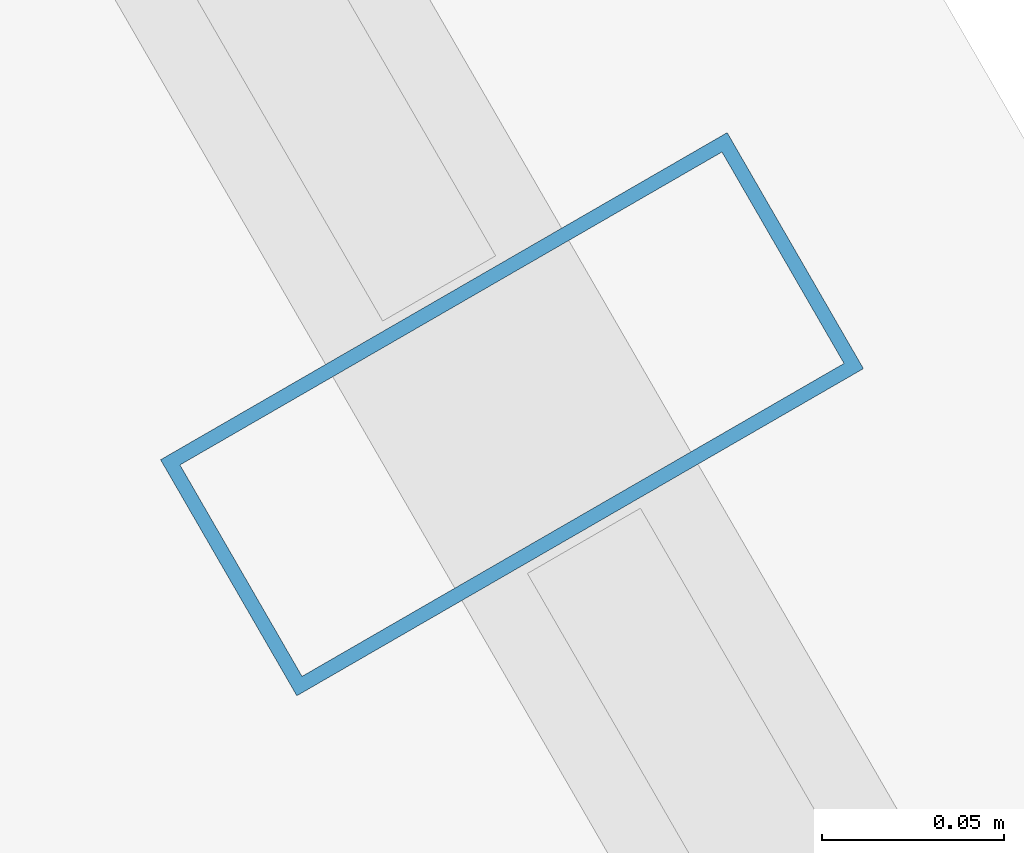
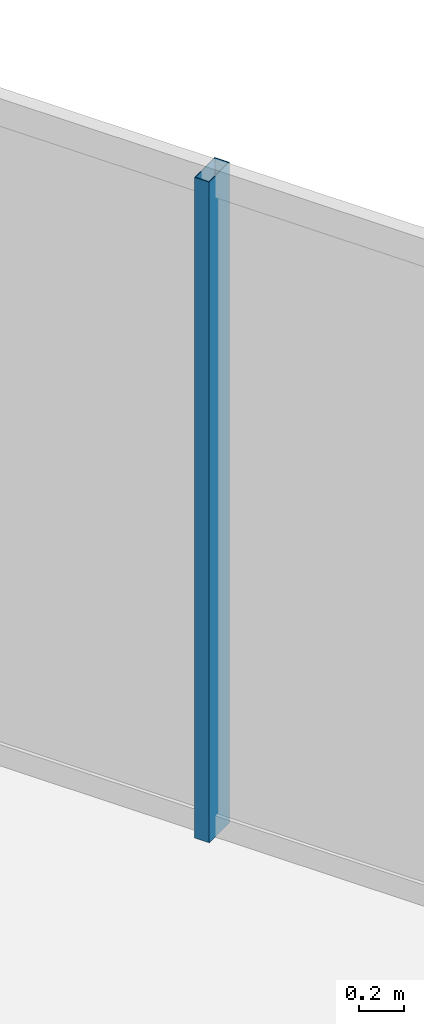
# One storey, part 19 of 32: 1 member, 1 element without a shape of its own.
"""IFC4 building model written with IfcOpenShell, lengths in metres."""

from ifc_helpers import new_model, si_unit, direction, frame, origin, origin_2d, place, context, subcontext, project, spatial, hollow_rectangle, extrude, material, layer, layer_set, material_profile, profile_set, type_object, element, aggregate, save


model = new_model("IFC4")

# Units and contexts
model_context = context("Model", 3, precision=1e-05, world=origin(), true_north=direction((0.0, 1.0)))
body_context = subcontext(model_context, "Body", "Model", "MODEL_VIEW")
ifc_project = project(units=[si_unit("LENGTHUNIT", "METRE"), si_unit("AREAUNIT", "SQUARE_METRE"), si_unit("VOLUMEUNIT", "CUBIC_METRE"), si_unit("PLANEANGLEUNIT", "RADIAN"), si_unit("MASSUNIT", "GRAM", prefix="KILO")], contexts=[model_context])

# Site, building, storey
site_placement = place(None, origin())
site = spatial("IfcSite", under=ifc_project, at=site_placement, CompositionType="ELEMENT")
building_placement = place(site_placement, origin())
building = spatial("IfcBuilding", under=site, at=building_placement, Name="Ndaravel Arena Tower", CompositionType="ELEMENT")
storey_placement = place(building_placement, frame((0.0, 0.0, 134.60009765625)))
storey = spatial("IfcBuildingStorey", under=building, at=storey_placement, Name="L31", CompositionType="ELEMENT", Elevation=134.60009765625)

# Curtain wall, member
ifc_material_1 = material(Name="Aluminium", Category="aluminium")
ifc_layer = layer(ifc_material_1, 0.179931640625)
ifc_layer_set = layer_set([ifc_layer], Name="Aluminium")
curtain_wall_type = type_object("IfcCurtainWallType", Name="CW-SYS-03", PredefinedType="NOTDEFINED", material=ifc_layer_set)
curtain_wall_placement = place(storey_placement, origin())
curtain_wall = element("IfcCurtainWall", 1, at=curtain_wall_placement, inside=storey, type_object=curtain_wall_type, Name="L31 Faceted Crystal Curtain Wall CW-L31-E03", PredefinedType="NOTDEFINED")
ifc_material_2 = material(Name="Aluminium", Category="aluminium")
ifc_material_profile = material_profile(ifc_material_2, hollow_rectangle(XDim=0.074951171875, YDim=0.179931640625, WallThickness=0.00390625, at=origin_2d()), Name="CW MULLION 75x180x4")
ifc_profile_set = profile_set([ifc_material_profile], Name="Aluminium")
member_type = type_object("IfcMemberType", Name="MEM-CW-MUL180", PredefinedType="MULLION", material=ifc_profile_set)
member_placement = place(storey_placement, frame((54.70849609375, 34.7255859375, 0.0), z_axis=(0.0, 0.0, 1.0), x_axis=(-0.5, 0.866025403784, 0.0)))
member = element("IfcMember", 2, at=member_placement, type_object=member_type, Name="CW-L31-E03 Mullion 05", PredefinedType="MULLION", context=body_context, shape_type="SweptSolid", body=[
    extrude(hollow_rectangle(XDim=0.074951171875, YDim=0.179931640625, WallThickness=0.00390625, at=origin_2d()), origin(), (0.0, 0.0, 1.0), 3.579833984375),
])
aggregate(curtain_wall, [member])

save(model, "model.ifc")
